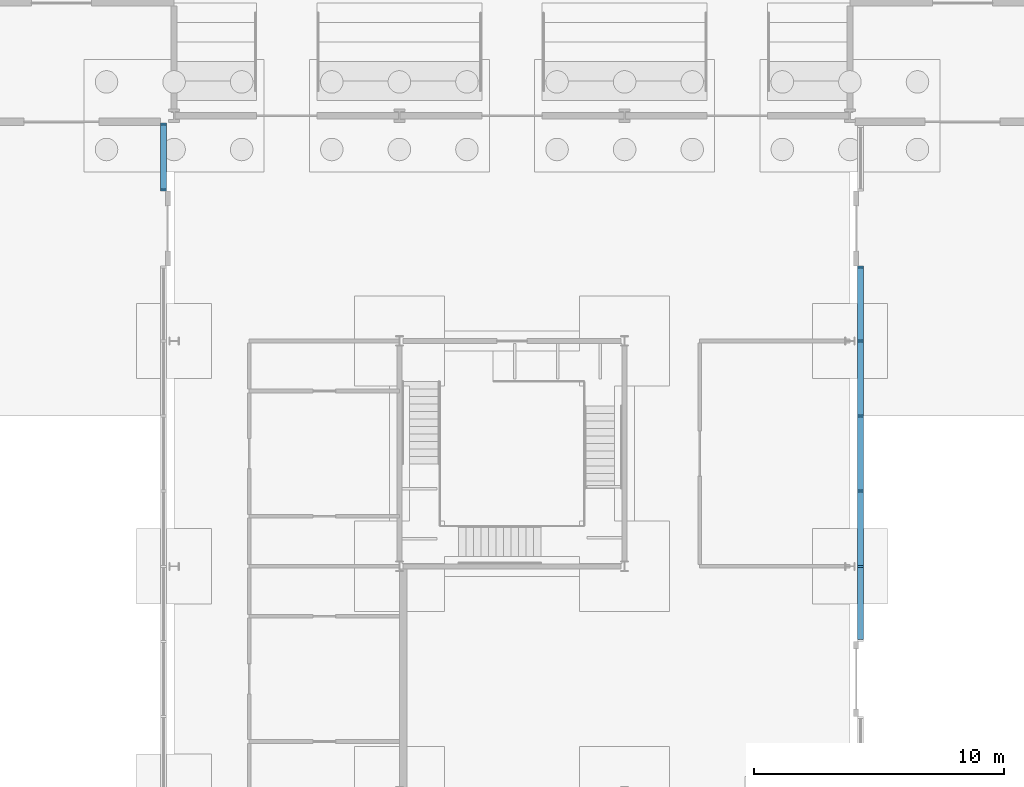
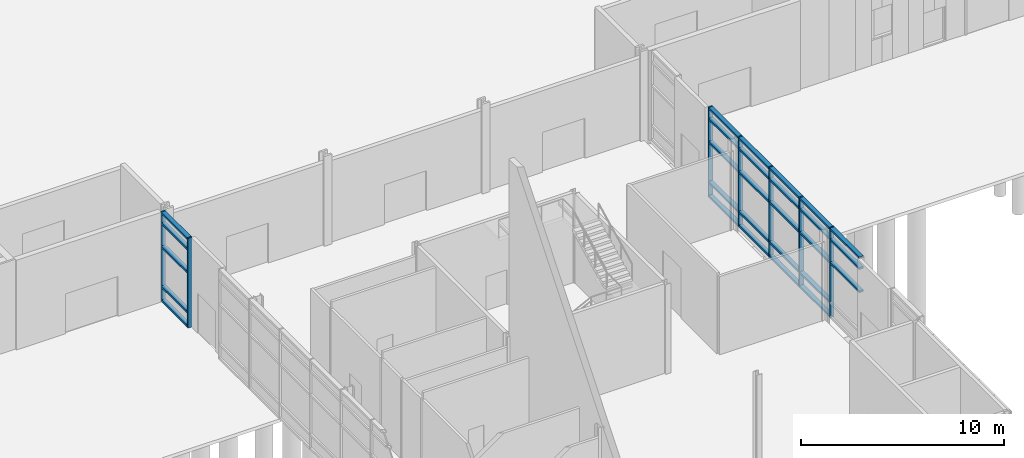
# One storey, part 16 of 45: 35 members, 2 elements without a shape of their own.
"""IFC4 building model written with IfcOpenShell, lengths in metres."""

from ifc_helpers import new_model, si_unit, direction, frame, origin, origin_2d, place, context, subcontext, project, spatial, rectangle, extrude, material, material_profile, profile_set, type_object, element, aggregate, save


model = new_model("IFC4")

# Units and contexts
model_context = context("Model", 3, precision=1e-05, world=origin(), true_north=direction((0.0, 1.0)))
body_context = subcontext(model_context, "Body", "Model", "MODEL_VIEW")
ifc_project = project(units=[si_unit("LENGTHUNIT", "METRE"), si_unit("AREAUNIT", "SQUARE_METRE"), si_unit("VOLUMEUNIT", "CUBIC_METRE"), si_unit("PLANEANGLEUNIT", "RADIAN"), si_unit("MASSUNIT", "GRAM", prefix="KILO")], contexts=[model_context])

# Site, building, storey
site_placement = place(None, origin())
site = spatial("IfcSite", under=ifc_project, at=site_placement, CompositionType="ELEMENT")
building_placement = place(site_placement, origin())
building = spatial("IfcBuilding", under=site, at=building_placement, Name="Azimuth Sports and Learning Centre", CompositionType="ELEMENT")
storey_placement = place(building_placement, origin())
storey = spatial("IfcBuildingStorey", under=building, at=storey_placement, Name="L00", CompositionType="ELEMENT", Elevation=0.0)

# Curtain wall, members
ifc_material_1 = material(Name="Aluminium and glass", Category="aluminium")
curtain_wall_type = type_object("IfcCurtainWallType", Name="Curtain wall podium stem 240", PredefinedType="NOTDEFINED", material=ifc_material_1)
curtain_wall_1_placement = place(storey_placement, origin())
curtain_wall_1 = element("IfcCurtainWall", 1, at=curtain_wall_1_placement, inside=storey, type_object=curtain_wall_type, Name="Curtain wall CW00-003", PredefinedType="NOTDEFINED")
ifc_material_2 = material(Name="Aluminium", Category="aluminium")
ifc_material_profile_1 = material_profile(ifc_material_2, rectangle(XDim=0.239990234375, YDim=0.080078125, at=origin_2d()), Name="Mullion 80x240")
ifc_profile_set_1 = profile_set([ifc_material_profile_1], Name="Aluminium")
member_type_1 = type_object("IfcMemberType", Name="Mullion 80x240", PredefinedType="MULLION", material=ifc_profile_set_1)
member_1_placement = place(storey_placement, frame((71.580078125, 89.659912109375, 0.0), z_axis=(0.0, 0.0, 1.0), x_axis=(1.0, 0.0, 0.0)))
member_1 = element("IfcMember", 2, at=member_1_placement, type_object=member_type_1, Name="CW00-003 mullion 1", PredefinedType="MULLION", context=body_context, shape_type="SweptSolid", body=[
    extrude(rectangle(XDim=0.239990234375, YDim=0.080078125, at=origin_2d()), origin(), (0.0, 0.0, 1.0), 5.39990234375),
])
member_2_placement = place(storey_placement, frame((71.580078125, 87.0400390625, 0.0), z_axis=(0.0, 0.0, 1.0), x_axis=(1.0, 0.0, 0.0)))
member_2 = element("IfcMember", 3, at=member_2_placement, type_object=member_type_1, Name="CW00-003 mullion 2", PredefinedType="MULLION", context=body_context, shape_type="SweptSolid", body=[
    extrude(rectangle(XDim=0.239990234375, YDim=0.080078125, at=origin_2d()), origin(), (0.0, 0.0, 1.0), 5.39990234375),
])

curtain_wall_2_placement = place(storey_placement, origin())
curtain_wall_2 = element("IfcCurtainWall", 4, at=curtain_wall_2_placement, inside=storey, type_object=curtain_wall_type, Name="Curtain wall CW00-007", PredefinedType="NOTDEFINED")
member_3_placement = place(storey_placement, frame((99.419921875, 72.0, 0.0), z_axis=(0.0, 0.0, 1.0), x_axis=(-1.0, 0.0, 0.0)))
member_3 = element("IfcMember", 5, at=member_3_placement, type_object=member_type_1, Name="CW00-007 mullion 2", PredefinedType="MULLION", context=body_context, shape_type="SweptSolid", body=[
    extrude(rectangle(XDim=0.239990234375, YDim=0.080078125, at=origin_2d()), origin(), (0.0, 0.0, 1.0), 5.39990234375),
])
member_4_placement = place(storey_placement, frame((99.419921875, 75.0, 0.0), z_axis=(0.0, 0.0, 1.0), x_axis=(-1.0, 0.0, 0.0)))
member_4 = element("IfcMember", 6, at=member_4_placement, type_object=member_type_1, Name="CW00-007 mullion 3", PredefinedType="MULLION", context=body_context, shape_type="SweptSolid", body=[
    extrude(rectangle(XDim=0.239990234375, YDim=0.080078125, at=origin_2d()), origin(), (0.0, 0.0, 1.0), 5.39990234375),
])
member_5_placement = place(storey_placement, frame((99.419921875, 78.0, 0.0), z_axis=(0.0, 0.0, 1.0), x_axis=(-1.0, 0.0, 0.0)))
member_5 = element("IfcMember", 7, at=member_5_placement, type_object=member_type_1, Name="CW00-007 mullion 4", PredefinedType="MULLION", context=body_context, shape_type="SweptSolid", body=[
    extrude(rectangle(XDim=0.239990234375, YDim=0.080078125, at=origin_2d()), origin(), (0.0, 0.0, 1.0), 5.39990234375),
])
member_6_placement = place(storey_placement, frame((99.419921875, 81.0, 0.0), z_axis=(0.0, 0.0, 1.0), x_axis=(-1.0, 0.0, 0.0)))
member_6 = element("IfcMember", 8, at=member_6_placement, type_object=member_type_1, Name="CW00-007 mullion 5", PredefinedType="MULLION", context=body_context, shape_type="SweptSolid", body=[
    extrude(rectangle(XDim=0.239990234375, YDim=0.080078125, at=origin_2d()), origin(), (0.0, 0.0, 1.0), 5.39990234375),
])
member_7_placement = place(storey_placement, frame((99.419921875, 83.9599609375, 0.0), z_axis=(0.0, 0.0, 1.0), x_axis=(-1.0, 0.0, 0.0)))
member_7 = element("IfcMember", 9, at=member_7_placement, type_object=member_type_1, Name="CW00-007 mullion 6", PredefinedType="MULLION", context=body_context, shape_type="SweptSolid", body=[
    extrude(rectangle(XDim=0.239990234375, YDim=0.080078125, at=origin_2d()), origin(), (0.0, 0.0, 1.0), 5.39990234375),
])

# Member
ifc_material_3 = material(Name="Aluminium", Category="aluminium")
ifc_material_profile_2 = material_profile(ifc_material_3, rectangle(XDim=0.239990234375, YDim=0.1201171875, at=origin_2d()), Name="Transom 120x240")
ifc_profile_set_2 = profile_set([ifc_material_profile_2], Name="Aluminium")
member_type_2 = type_object("IfcMemberType", Name="Transom 120x240", PredefinedType="USERDEFINED", material=ifc_profile_set_2)
member_8_placement = place(storey_placement, frame((71.580078125, 89.6201171875, 0.06005859375), z_axis=(0.0, -1.0, 0.0), x_axis=(1.0, 0.0, 0.0)))
member_8 = element("IfcMember", 10, at=member_8_placement, type_object=member_type_2, Name="CW00-003 transom 1.1", ObjectType="TRANSOM", PredefinedType="USERDEFINED", context=body_context, shape_type="SweptSolid", body=[
    extrude(rectangle(XDim=0.239990234375, YDim=0.1201171875, at=origin_2d()), origin(), (0.0, 0.0, 1.0), 2.5400390625),
])

member_9_placement = place(storey_placement, frame((71.580078125, 89.6201171875, 0.89990234375), z_axis=(0.0, -1.0, 0.0), x_axis=(1.0, 0.0, 0.0)))
member_9 = element("IfcMember", 11, at=member_9_placement, type_object=member_type_2, Name="CW00-003 transom 1.2", ObjectType="TRANSOM", PredefinedType="USERDEFINED", context=body_context, shape_type="SweptSolid", body=[
    extrude(rectangle(XDim=0.239990234375, YDim=0.1201171875, at=origin_2d()), origin(), (0.0, 0.0, 1.0), 2.5400390625),
])

member_10_placement = place(storey_placement, frame((71.580078125, 89.6201171875, 3.300048828125), z_axis=(0.0, -1.0, 0.0), x_axis=(1.0, 0.0, 0.0)))
member_10 = element("IfcMember", 12, at=member_10_placement, type_object=member_type_2, Name="CW00-003 transom 1.3", ObjectType="TRANSOM", PredefinedType="USERDEFINED", context=body_context, shape_type="SweptSolid", body=[
    extrude(rectangle(XDim=0.239990234375, YDim=0.1201171875, at=origin_2d()), origin(), (0.0, 0.0, 1.0), 2.5400390625),
])

member_11_placement = place(storey_placement, frame((71.580078125, 89.6201171875, 4.699951171875), z_axis=(0.0, -1.0, 0.0), x_axis=(1.0, 0.0, 0.0)))
member_11 = element("IfcMember", 13, at=member_11_placement, type_object=member_type_2, Name="CW00-003 transom 1.4", ObjectType="TRANSOM", PredefinedType="USERDEFINED", context=body_context, shape_type="SweptSolid", body=[
    extrude(rectangle(XDim=0.239990234375, YDim=0.1201171875, at=origin_2d()), origin(), (0.0, 0.0, 1.0), 2.5400390625),
])

member_12_placement = place(storey_placement, frame((71.580078125, 89.6201171875, 5.340087890625), z_axis=(0.0, -1.0, 0.0), x_axis=(1.0, 0.0, 0.0)))
member_12 = element("IfcMember", 14, at=member_12_placement, type_object=member_type_2, Name="CW00-003 transom 1.5", ObjectType="TRANSOM", PredefinedType="USERDEFINED", context=body_context, shape_type="SweptSolid", body=[
    extrude(rectangle(XDim=0.239990234375, YDim=0.1201171875, at=origin_2d()), origin(), (0.0, 0.0, 1.0), 2.5400390625),
])

aggregate(curtain_wall_1, [member_1, member_2, member_8, member_9, member_10, member_11, member_12])

member_13_placement = place(storey_placement, frame((99.419921875, 69.080078125, 3.300048828125), z_axis=(0.0, 1.0, 0.0), x_axis=(-1.0, 0.0, 0.0)))
member_13 = element("IfcMember", 15, at=member_13_placement, type_object=member_type_2, Name="CW00-007 transom 1.3", ObjectType="TRANSOM", PredefinedType="USERDEFINED", context=body_context, shape_type="SweptSolid", body=[
    extrude(rectangle(XDim=0.239990234375, YDim=0.1201171875, at=origin_2d()), origin(), (0.0, 0.0, 1.0), 2.8798828125),
])

member_14_placement = place(storey_placement, frame((99.419921875, 69.080078125, 4.699951171875), z_axis=(0.0, 1.0, 0.0), x_axis=(-1.0, 0.0, 0.0)))
member_14 = element("IfcMember", 16, at=member_14_placement, type_object=member_type_2, Name="CW00-007 transom 1.4", ObjectType="TRANSOM", PredefinedType="USERDEFINED", context=body_context, shape_type="SweptSolid", body=[
    extrude(rectangle(XDim=0.239990234375, YDim=0.1201171875, at=origin_2d()), origin(), (0.0, 0.0, 1.0), 2.8798828125),
])

member_15_placement = place(storey_placement, frame((99.419921875, 69.080078125, 5.340087890625), z_axis=(0.0, 1.0, 0.0), x_axis=(-1.0, 0.0, 0.0)))
member_15 = element("IfcMember", 17, at=member_15_placement, type_object=member_type_2, Name="CW00-007 transom 1.5", ObjectType="TRANSOM", PredefinedType="USERDEFINED", context=body_context, shape_type="SweptSolid", body=[
    extrude(rectangle(XDim=0.239990234375, YDim=0.1201171875, at=origin_2d()), origin(), (0.0, 0.0, 1.0), 2.8798828125),
])

member_16_placement = place(storey_placement, frame((99.419921875, 72.0400390625, 0.06005859375), z_axis=(0.0, 1.0, 0.0), x_axis=(-1.0, 0.0, 0.0)))
member_16 = element("IfcMember", 18, at=member_16_placement, type_object=member_type_2, Name="CW00-007 transom 2.1", ObjectType="TRANSOM", PredefinedType="USERDEFINED", context=body_context, shape_type="SweptSolid", body=[
    extrude(rectangle(XDim=0.239990234375, YDim=0.1201171875, at=origin_2d()), origin(), (0.0, 0.0, 1.0), 2.919921875),
])

member_17_placement = place(storey_placement, frame((99.419921875, 72.0400390625, 0.89990234375), z_axis=(0.0, 1.0, 0.0), x_axis=(-1.0, 0.0, 0.0)))
member_17 = element("IfcMember", 19, at=member_17_placement, type_object=member_type_2, Name="CW00-007 transom 2.2", ObjectType="TRANSOM", PredefinedType="USERDEFINED", context=body_context, shape_type="SweptSolid", body=[
    extrude(rectangle(XDim=0.239990234375, YDim=0.1201171875, at=origin_2d()), origin(), (0.0, 0.0, 1.0), 2.919921875),
])

member_18_placement = place(storey_placement, frame((99.419921875, 72.0400390625, 3.300048828125), z_axis=(0.0, 1.0, 0.0), x_axis=(-1.0, 0.0, 0.0)))
member_18 = element("IfcMember", 20, at=member_18_placement, type_object=member_type_2, Name="CW00-007 transom 2.3", ObjectType="TRANSOM", PredefinedType="USERDEFINED", context=body_context, shape_type="SweptSolid", body=[
    extrude(rectangle(XDim=0.239990234375, YDim=0.1201171875, at=origin_2d()), origin(), (0.0, 0.0, 1.0), 2.919921875),
])

member_19_placement = place(storey_placement, frame((99.419921875, 72.0400390625, 4.699951171875), z_axis=(0.0, 1.0, 0.0), x_axis=(-1.0, 0.0, 0.0)))
member_19 = element("IfcMember", 21, at=member_19_placement, type_object=member_type_2, Name="CW00-007 transom 2.4", ObjectType="TRANSOM", PredefinedType="USERDEFINED", context=body_context, shape_type="SweptSolid", body=[
    extrude(rectangle(XDim=0.239990234375, YDim=0.1201171875, at=origin_2d()), origin(), (0.0, 0.0, 1.0), 2.919921875),
])

member_20_placement = place(storey_placement, frame((99.419921875, 72.0400390625, 5.340087890625), z_axis=(0.0, 1.0, 0.0), x_axis=(-1.0, 0.0, 0.0)))
member_20 = element("IfcMember", 22, at=member_20_placement, type_object=member_type_2, Name="CW00-007 transom 2.5", ObjectType="TRANSOM", PredefinedType="USERDEFINED", context=body_context, shape_type="SweptSolid", body=[
    extrude(rectangle(XDim=0.239990234375, YDim=0.1201171875, at=origin_2d()), origin(), (0.0, 0.0, 1.0), 2.919921875),
])

member_21_placement = place(storey_placement, frame((99.419921875, 75.0400390625, 0.06005859375), z_axis=(0.0, 1.0, 0.0), x_axis=(-1.0, 0.0, 0.0)))
member_21 = element("IfcMember", 23, at=member_21_placement, type_object=member_type_2, Name="CW00-007 transom 3.1", ObjectType="TRANSOM", PredefinedType="USERDEFINED", context=body_context, shape_type="SweptSolid", body=[
    extrude(rectangle(XDim=0.239990234375, YDim=0.1201171875, at=origin_2d()), origin(), (0.0, 0.0, 1.0), 2.919921875),
])

member_22_placement = place(storey_placement, frame((99.419921875, 75.0400390625, 0.89990234375), z_axis=(0.0, 1.0, 0.0), x_axis=(-1.0, 0.0, 0.0)))
member_22 = element("IfcMember", 24, at=member_22_placement, type_object=member_type_2, Name="CW00-007 transom 3.2", ObjectType="TRANSOM", PredefinedType="USERDEFINED", context=body_context, shape_type="SweptSolid", body=[
    extrude(rectangle(XDim=0.239990234375, YDim=0.1201171875, at=origin_2d()), origin(), (0.0, 0.0, 1.0), 2.919921875),
])

member_23_placement = place(storey_placement, frame((99.419921875, 75.0400390625, 3.300048828125), z_axis=(0.0, 1.0, 0.0), x_axis=(-1.0, 0.0, 0.0)))
member_23 = element("IfcMember", 25, at=member_23_placement, type_object=member_type_2, Name="CW00-007 transom 3.3", ObjectType="TRANSOM", PredefinedType="USERDEFINED", context=body_context, shape_type="SweptSolid", body=[
    extrude(rectangle(XDim=0.239990234375, YDim=0.1201171875, at=origin_2d()), origin(), (0.0, 0.0, 1.0), 2.919921875),
])

member_24_placement = place(storey_placement, frame((99.419921875, 75.0400390625, 4.699951171875), z_axis=(0.0, 1.0, 0.0), x_axis=(-1.0, 0.0, 0.0)))
member_24 = element("IfcMember", 26, at=member_24_placement, type_object=member_type_2, Name="CW00-007 transom 3.4", ObjectType="TRANSOM", PredefinedType="USERDEFINED", context=body_context, shape_type="SweptSolid", body=[
    extrude(rectangle(XDim=0.239990234375, YDim=0.1201171875, at=origin_2d()), origin(), (0.0, 0.0, 1.0), 2.919921875),
])

member_25_placement = place(storey_placement, frame((99.419921875, 75.0400390625, 5.340087890625), z_axis=(0.0, 1.0, 0.0), x_axis=(-1.0, 0.0, 0.0)))
member_25 = element("IfcMember", 27, at=member_25_placement, type_object=member_type_2, Name="CW00-007 transom 3.5", ObjectType="TRANSOM", PredefinedType="USERDEFINED", context=body_context, shape_type="SweptSolid", body=[
    extrude(rectangle(XDim=0.239990234375, YDim=0.1201171875, at=origin_2d()), origin(), (0.0, 0.0, 1.0), 2.919921875),
])

member_26_placement = place(storey_placement, frame((99.419921875, 78.0400390625, 0.06005859375), z_axis=(0.0, 1.0, 0.0), x_axis=(-1.0, 0.0, 0.0)))
member_26 = element("IfcMember", 28, at=member_26_placement, type_object=member_type_2, Name="CW00-007 transom 4.1", ObjectType="TRANSOM", PredefinedType="USERDEFINED", context=body_context, shape_type="SweptSolid", body=[
    extrude(rectangle(XDim=0.239990234375, YDim=0.1201171875, at=origin_2d()), origin(), (0.0, 0.0, 1.0), 2.919921875),
])

member_27_placement = place(storey_placement, frame((99.419921875, 78.0400390625, 0.89990234375), z_axis=(0.0, 1.0, 0.0), x_axis=(-1.0, 0.0, 0.0)))
member_27 = element("IfcMember", 29, at=member_27_placement, type_object=member_type_2, Name="CW00-007 transom 4.2", ObjectType="TRANSOM", PredefinedType="USERDEFINED", context=body_context, shape_type="SweptSolid", body=[
    extrude(rectangle(XDim=0.239990234375, YDim=0.1201171875, at=origin_2d()), origin(), (0.0, 0.0, 1.0), 2.919921875),
])

member_28_placement = place(storey_placement, frame((99.419921875, 78.0400390625, 3.300048828125), z_axis=(0.0, 1.0, 0.0), x_axis=(-1.0, 0.0, 0.0)))
member_28 = element("IfcMember", 30, at=member_28_placement, type_object=member_type_2, Name="CW00-007 transom 4.3", ObjectType="TRANSOM", PredefinedType="USERDEFINED", context=body_context, shape_type="SweptSolid", body=[
    extrude(rectangle(XDim=0.239990234375, YDim=0.1201171875, at=origin_2d()), origin(), (0.0, 0.0, 1.0), 2.919921875),
])

member_29_placement = place(storey_placement, frame((99.419921875, 78.0400390625, 4.699951171875), z_axis=(0.0, 1.0, 0.0), x_axis=(-1.0, 0.0, 0.0)))
member_29 = element("IfcMember", 31, at=member_29_placement, type_object=member_type_2, Name="CW00-007 transom 4.4", ObjectType="TRANSOM", PredefinedType="USERDEFINED", context=body_context, shape_type="SweptSolid", body=[
    extrude(rectangle(XDim=0.239990234375, YDim=0.1201171875, at=origin_2d()), origin(), (0.0, 0.0, 1.0), 2.919921875),
])

member_30_placement = place(storey_placement, frame((99.419921875, 78.0400390625, 5.340087890625), z_axis=(0.0, 1.0, 0.0), x_axis=(-1.0, 0.0, 0.0)))
member_30 = element("IfcMember", 32, at=member_30_placement, type_object=member_type_2, Name="CW00-007 transom 4.5", ObjectType="TRANSOM", PredefinedType="USERDEFINED", context=body_context, shape_type="SweptSolid", body=[
    extrude(rectangle(XDim=0.239990234375, YDim=0.1201171875, at=origin_2d()), origin(), (0.0, 0.0, 1.0), 2.919921875),
])

member_31_placement = place(storey_placement, frame((99.419921875, 81.0400390625, 0.06005859375), z_axis=(0.0, 1.0, 0.0), x_axis=(-1.0, 0.0, 0.0)))
member_31 = element("IfcMember", 33, at=member_31_placement, type_object=member_type_2, Name="CW00-007 transom 5.1", ObjectType="TRANSOM", PredefinedType="USERDEFINED", context=body_context, shape_type="SweptSolid", body=[
    extrude(rectangle(XDim=0.239990234375, YDim=0.1201171875, at=origin_2d()), origin(), (0.0, 0.0, 1.0), 2.8798828125),
])

member_32_placement = place(storey_placement, frame((99.419921875, 81.0400390625, 0.89990234375), z_axis=(0.0, 1.0, 0.0), x_axis=(-1.0, 0.0, 0.0)))
member_32 = element("IfcMember", 34, at=member_32_placement, type_object=member_type_2, Name="CW00-007 transom 5.2", ObjectType="TRANSOM", PredefinedType="USERDEFINED", context=body_context, shape_type="SweptSolid", body=[
    extrude(rectangle(XDim=0.239990234375, YDim=0.1201171875, at=origin_2d()), origin(), (0.0, 0.0, 1.0), 2.8798828125),
])

member_33_placement = place(storey_placement, frame((99.419921875, 81.0400390625, 3.300048828125), z_axis=(0.0, 1.0, 0.0), x_axis=(-1.0, 0.0, 0.0)))
member_33 = element("IfcMember", 35, at=member_33_placement, type_object=member_type_2, Name="CW00-007 transom 5.3", ObjectType="TRANSOM", PredefinedType="USERDEFINED", context=body_context, shape_type="SweptSolid", body=[
    extrude(rectangle(XDim=0.239990234375, YDim=0.1201171875, at=origin_2d()), origin(), (0.0, 0.0, 1.0), 2.8798828125),
])

member_34_placement = place(storey_placement, frame((99.419921875, 81.0400390625, 4.699951171875), z_axis=(0.0, 1.0, 0.0), x_axis=(-1.0, 0.0, 0.0)))
member_34 = element("IfcMember", 36, at=member_34_placement, type_object=member_type_2, Name="CW00-007 transom 5.4", ObjectType="TRANSOM", PredefinedType="USERDEFINED", context=body_context, shape_type="SweptSolid", body=[
    extrude(rectangle(XDim=0.239990234375, YDim=0.1201171875, at=origin_2d()), origin(), (0.0, 0.0, 1.0), 2.8798828125),
])

member_35_placement = place(storey_placement, frame((99.419921875, 81.0400390625, 5.340087890625), z_axis=(0.0, 1.0, 0.0), x_axis=(-1.0, 0.0, 0.0)))
member_35 = element("IfcMember", 37, at=member_35_placement, type_object=member_type_2, Name="CW00-007 transom 5.5", ObjectType="TRANSOM", PredefinedType="USERDEFINED", context=body_context, shape_type="SweptSolid", body=[
    extrude(rectangle(XDim=0.239990234375, YDim=0.1201171875, at=origin_2d()), origin(), (0.0, 0.0, 1.0), 2.8798828125),
])

aggregate(curtain_wall_2, [member_3, member_4, member_5, member_6, member_7, member_13, member_14, member_15, member_16, member_17, member_18, member_19, member_20, member_21, member_22, member_23, member_24, member_25, member_26, member_27, member_28, member_29, member_30, member_31, member_32, member_33, member_34, member_35])

save(model, "model.ifc")
